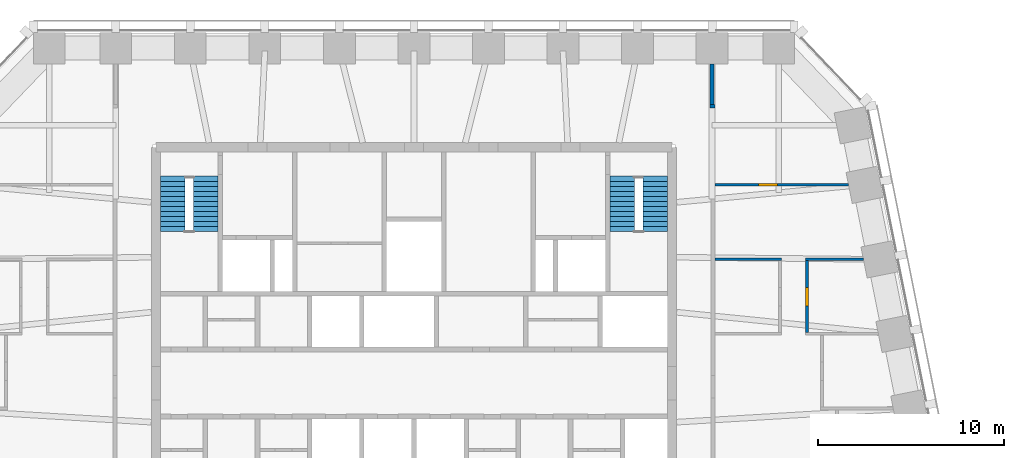
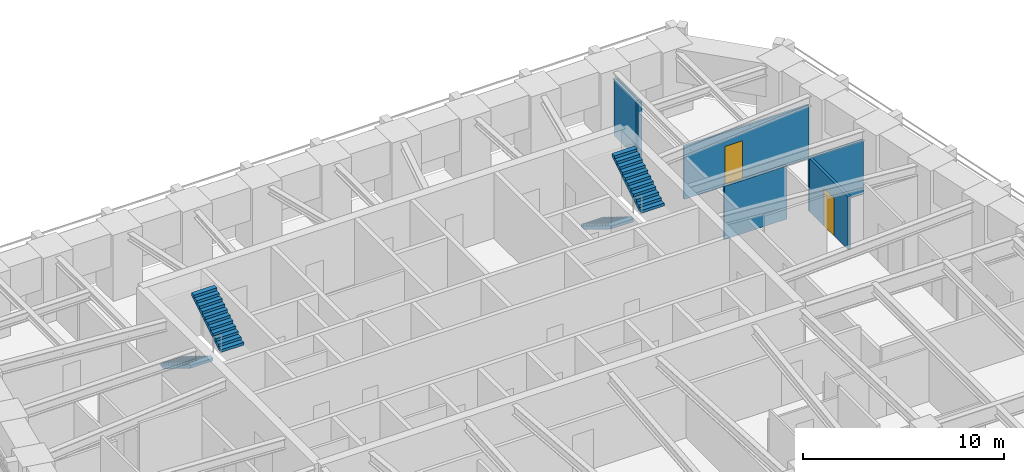
# One storey, part 9 of 11: 6 walls, 4 stair flights, 2 doors, 2 openings, 2 elements without a shape of their own.
"""IFC4 building model written with IfcOpenShell, lengths in metres."""

from ifc_helpers import new_model, si_unit, direction, frame, frame_2d, origin, place, context, subcontext, project, spatial, polyline, rectangle, outline, extrude, material, layer, layer_set, type_object, element, fill, aggregate, save


model = new_model("IFC4")

# Units and contexts
model_context = context("Model", 3, precision=1e-05, world=origin(), true_north=direction((0.0, 1.0)))
body_context = subcontext(model_context, "Body", "Model", "MODEL_VIEW")
ifc_project = project(units=[si_unit("LENGTHUNIT", "METRE"), si_unit("AREAUNIT", "SQUARE_METRE"), si_unit("VOLUMEUNIT", "CUBIC_METRE"), si_unit("PLANEANGLEUNIT", "RADIAN"), si_unit("MASSUNIT", "GRAM", prefix="KILO")], contexts=[model_context])

# Site, building, storey
site_placement = place(None, origin())
site = spatial("IfcSite", under=ifc_project, at=site_placement, CompositionType="ELEMENT")
building_placement = place(site_placement, origin())
building = spatial("IfcBuilding", under=site, at=building_placement, Name="Isbrekke Arena Tower", CompositionType="ELEMENT")
storey_placement = place(building_placement, frame((0.0, 0.0, 248.0)))
storey = spatial("IfcBuildingStorey", under=building, at=storey_placement, Name="L57", CompositionType="ELEMENT", Elevation=248.0)

# Walls
ifc_material_1 = material(Name="Gypsum board partition on steel studs", Category="steel")
ifc_layer_1 = layer(ifc_material_1, 0.14990234375)
ifc_layer_set_1 = layer_set([ifc_layer_1], Name="IW1 PARTITION 150")
wall_type_1 = type_object("IfcWallType", Name="IW1 PARTITION 150", PredefinedType="PARTITIONING", material=ifc_layer_set_1)
wall_1_placement = place(storey_placement, frame((16.14990234375, 17.840087890625, 0.0), z_axis=(0.0, 0.0, 1.0), x_axis=(1.0, 0.0, 0.0)))
element("IfcWall", 1, at=wall_1_placement, inside=storey, type_object=wall_type_1, Name="IW1 partition 150 L57", PredefinedType="PARTITIONING", context=body_context, shape_type="SweptSolid", body=[
    extrude(rectangle(XDim=3.5751953125, YDim=0.14990234375, at=frame_2d((1.78759765625, 0.0))), origin(), (0.0, 0.0, 1.0), 3.22998046875),
])
wall_2_placement = place(storey_placement, frame((21.02490234375, 17.840087890625, 0.0), z_axis=(0.0, 0.0, 1.0), x_axis=(1.0, 0.0, 0.0)))
element("IfcWall", 2, at=wall_2_placement, inside=storey, type_object=wall_type_1, Name="IW1 partition 150 L57", PredefinedType="PARTITIONING", context=body_context, shape_type="SweptSolid", body=[
    extrude(rectangle(XDim=3.098876953125, YDim=0.14990234375, at=frame_2d((1.54931640625, 0.0))), origin(), (0.0, 0.0, 1.0), 3.22998046875),
])

# Wall, opening, door
wall_3_placement = place(storey_placement, frame((21.10009765625, 13.9150390625, 0.0), z_axis=(0.0, 0.0, 1.0), x_axis=(0.0, 1.0, 0.0)))
wall_3 = element("IfcWall", 3, at=wall_3_placement, inside=storey, type_object=wall_type_1, Name="IW1 partition 150 L57", PredefinedType="PARTITIONING", context=body_context, shape_type="SweptSolid", body=[
    extrude(rectangle(XDim=3.849853515625, YDim=0.14990234375, at=frame_2d((1.9248046875, 0.0))), origin(), (0.0, 0.0, 1.0), 3.22998046875),
])
opening_1_placement = place(wall_3_placement, frame((1.425048828125, 0.0, 0.0)))
opening_1 = element("IfcOpeningElement", 4, at=opening_1_placement, cuts=wall_3, Name="Opening D10", PredefinedType="OPENING", context=body_context, shape_type="SweptSolid", body=[
    extrude(rectangle(XDim=1.0, YDim=2.300048828125, at=frame_2d((0.5, 1.14990234375))), frame((0.0, 0.08984375, 0.0), z_axis=(0.0, -1.0, 0.0), x_axis=(1.0, 0.0, 0.0)), (0.0, 0.0, 1.0), 0.1796875),
])
ifc_material_2 = material(Name="Timber door", Category="wood")
door_type_1 = type_object("IfcDoorType", Name="D10 OFFICE DOOR 1000 x 2300", OperationType="SINGLE_SWING_LEFT", PredefinedType="DOOR", material=ifc_material_2)
door_1_placement = place(opening_1_placement, origin())
door_1 = element("IfcDoor", 5, at=door_1_placement, inside=storey, type_object=door_type_1, Name="D10 office door L57", OperationType="SINGLE_SWING_LEFT", OverallHeight=2.300048828125, OverallWidth=1.0, PredefinedType="DOOR", context=body_context, shape_type="SweptSolid", body=[
    extrude(rectangle(XDim=1.0, YDim=2.300048828125, at=frame_2d((0.5, 1.14990234375))), frame((0.0, 0.07470703125, 0.0), z_axis=(0.0, -1.0, 0.0), x_axis=(1.0, 0.0, 0.0)), (0.0, 0.0, 1.0), 0.1494140625),
])
fill(opening_1, door_1)

ifc_material_3 = material(Name="Frameless glazed partition, laminated acoustic glass", Category="glass")
ifc_layer_2 = layer(ifc_material_3, 0.1201171875)
ifc_layer_set_2 = layer_set([ifc_layer_2], Name="IW2 GLAZED PARTITION 120")
wall_type_2 = type_object("IfcWallType", Name="IW2 GLAZED PARTITION 120", PredefinedType="PARTITIONING", material=ifc_layer_set_2)
wall_4_placement = place(storey_placement, frame((16.14990234375, 21.840087890625, 0.0), z_axis=(0.0, 0.0, 1.0), x_axis=(1.0, 0.0, 0.0)))
wall_4 = element("IfcWall", 6, at=wall_4_placement, inside=storey, type_object=wall_type_2, Name="IW2 glazed partition 120 L57", PredefinedType="PARTITIONING", context=body_context, shape_type="SweptSolid", body=[
    extrude(rectangle(XDim=7.173828125, YDim=0.1201171875, at=frame_2d((3.5869140625, 0.0))), origin(), (0.0, 0.0, 1.0), 3.22998046875),
])
opening_2_placement = place(wall_4_placement, frame((2.35009765625, 0.0, 0.0)))
opening_2 = element("IfcOpeningElement", 7, at=opening_2_placement, cuts=wall_4, Name="Opening D11", PredefinedType="OPENING", context=body_context, shape_type="SweptSolid", body=[
    extrude(rectangle(XDim=1.0, YDim=2.39990234375, at=frame_2d((0.5, 1.199951171875))), frame((0.0, 0.074951171875, 0.0), z_axis=(0.0, -1.0, 0.0), x_axis=(1.0, 0.0, 0.0)), (0.0, 0.0, 1.0), 0.14990234375),
])
ifc_material_4 = material(Name="Frameless glazed door", Category="glass")
door_type_2 = type_object("IfcDoorType", Name="D11 GLAZED MEETING ROOM DOOR 1000 x 2400", OperationType="SINGLE_SWING_RIGHT", PredefinedType="DOOR", material=ifc_material_4)
door_2_placement = place(opening_2_placement, origin())
door_2 = element("IfcDoor", 8, at=door_2_placement, inside=storey, type_object=door_type_2, Name="D11 meeting room door L57", OperationType="SINGLE_SWING_RIGHT", OverallHeight=2.39990234375, OverallWidth=1.0, PredefinedType="DOOR", context=body_context, shape_type="SweptSolid", body=[
    extrude(rectangle(XDim=1.0, YDim=2.39990234375, at=frame_2d((0.5, 1.199951171875))), frame((0.0, 0.059814453125, 0.0), z_axis=(0.0, -1.0, 0.0), x_axis=(1.0, 0.0, 0.0)), (0.0, 0.0, 1.0), 0.11962890625),
])
fill(opening_2, door_2)

# Walls
ifc_material_5 = material(Name="Gypsum board fire-cell wall on steel studs, two layers each side", Category="steel")
ifc_layer_3 = layer(ifc_material_5, 0.199951171875)
ifc_layer_set_3 = layer_set([ifc_layer_3], Name="IW3 FIRE-CELL WALL 200")
wall_type_3 = type_object("IfcWallType", Name="IW3 FIRE-CELL WALL 200", PredefinedType="PARTITIONING", material=ifc_layer_set_3)
wall_5_placement = place(storey_placement, frame((15.89990234375, 26.050048828125, 0.0), z_axis=(0.0, 0.0, 1.0), x_axis=(1.0, 0.0, 0.0)))
element("IfcWall", 9, at=wall_5_placement, inside=storey, type_object=wall_type_3, Name="IW3 fire-cell wall 200 L57", PredefinedType="PARTITIONING", context=body_context, shape_type="SweptSolid", body=[
    extrude(rectangle(XDim=0.25, YDim=0.199951171875, at=frame_2d((0.125, 0.0))), origin(), (0.0, 0.0, 1.0), 3.41796875),
])
wall_6_placement = place(storey_placement, frame((16.0, 26.14990234375, 0.0), z_axis=(0.0, 0.0, 1.0), x_axis=(0.0, 1.0, 0.0)))
element("IfcWall", 10, at=wall_6_placement, inside=storey, type_object=wall_type_3, Name="IW3 fire-cell wall 200 L57", PredefinedType="PARTITIONING", context=body_context, shape_type="SweptSolid", body=[
    extrude(rectangle(XDim=2.175048828125, YDim=0.199951171875, at=frame_2d((1.08740234375, 0.0))), origin(), (0.0, 0.0, 1.0), 3.41796875),
])

# Stair, stair flights
ifc_material_6 = material(Name="Concrete B45 (C45/55) precast", Category="concrete")
stair_type = type_object("IfcStairType", Name="ST40 STAIR 1300 WIDE, 24 RISERS 167", PredefinedType="HALF_TURN_STAIR", material=ifc_material_6)
stair_1_placement = place(storey_placement, origin())
stair_1 = element("IfcStair", 11, at=stair_1_placement, inside=storey, type_object=stair_type, Name="ST1 stair L57", PredefinedType="HALF_TURN_STAIR")
ifc_material_7 = material(Name="Concrete B45 (C45/55) precast", Category="concrete")
stair_flight_type = type_object("IfcStairFlightType", Name="SF 1300 FLIGHT", PredefinedType="STRAIGHT", material=ifc_material_7)
stair_flight_1_placement = place(storey_placement, frame((-12.949951171875, 22.300048828125, 0.0), z_axis=(0.0, 0.0, 1.0), x_axis=(0.0, -1.0, 0.0)))
stair_flight_1 = element("IfcStairFlight", 12, at=stair_flight_1_placement, type_object=stair_flight_type, Name="ST1 flight 1", NumberOfRisers=12, NumberOfTreads=11, PredefinedType="STRAIGHT", RiserHeight=0.166666667, TreadLength=0.27, context=body_context, shape_type="SweptSolid", body=[
    extrude(outline(polyline([(0.0, 0.0), (0.0, 0.166748046875), (0.27001953125, 0.166748046875), (0.27001953125, 0.333251953125), (0.5400390625, 0.333251953125), (0.5400390625, 0.5), (0.81005859375, 0.5), (0.81005859375, 0.666748046875), (1.080078125, 0.666748046875), (1.080078125, 0.833251953125), (1.35009765625, 0.833251953125), (1.35009765625, 1.0), (1.6201171875, 1.0), (1.6201171875, 1.166748046875), (1.889892578125, 1.166748046875), (1.889892578125, 1.333251953125), (2.159912109375, 1.333251953125), (2.159912109375, 1.5), (2.429931640625, 1.5), (2.429931640625, 1.666748046875), (2.699951171875, 1.666748046875), (2.699951171875, 1.833251953125), (2.969970703125, 1.833251953125), (2.969970703125, 2.0), (2.969970703125, 1.6572265625), (0.285400390625, 0.0), (0.0, 0.0)])), frame((0.0, 0.64990234375, 0.0), z_axis=(0.0, -1.0, 0.0), x_axis=(1.0, 0.0, 0.0)), (0.0, 0.0, 1.0), 1.300048828125),
])
stair_flight_2_placement = place(storey_placement, frame((-11.175048828125, 19.330078125, 2.0), z_axis=(0.0, 0.0, 1.0), x_axis=(0.0, 1.0, 0.0)))
stair_flight_2 = element("IfcStairFlight", 13, at=stair_flight_2_placement, type_object=stair_flight_type, Name="ST1 flight 2", NumberOfRisers=12, NumberOfTreads=11, PredefinedType="STRAIGHT", RiserHeight=0.166666667, TreadLength=0.27, context=body_context, shape_type="SweptSolid", body=[
    extrude(outline(polyline([(0.0, 0.0), (0.0, 0.166748046875), (0.27001953125, 0.166748046875), (0.27001953125, 0.333251953125), (0.5400390625, 0.333251953125), (0.5400390625, 0.5), (0.81005859375, 0.5), (0.81005859375, 0.666748046875), (1.080078125, 0.666748046875), (1.080078125, 0.833251953125), (1.35009765625, 0.833251953125), (1.35009765625, 1.0), (1.6201171875, 1.0), (1.6201171875, 1.166748046875), (1.889892578125, 1.166748046875), (1.889892578125, 1.333251953125), (2.159912109375, 1.333251953125), (2.159912109375, 1.5), (2.429931640625, 1.5), (2.429931640625, 1.666748046875), (2.699951171875, 1.666748046875), (2.699951171875, 1.833251953125), (2.969970703125, 1.833251953125), (2.969970703125, 2.0), (2.969970703125, 1.6572265625), (0.285400390625, 0.0), (0.0, 0.0)])), frame((0.0, 0.64990234375, 0.0), z_axis=(0.0, -1.0, 0.0), x_axis=(1.0, 0.0, 0.0)), (0.0, 0.0, 1.0), 1.300048828125),
])
aggregate(stair_1, [stair_flight_1, stair_flight_2])

stair_2_placement = place(storey_placement, origin())
stair_2 = element("IfcStair", 14, at=stair_2_placement, inside=storey, type_object=stair_type, Name="ST2 stair L57", PredefinedType="HALF_TURN_STAIR")
stair_flight_3_placement = place(storey_placement, frame((11.175048828125, 22.300048828125, 0.0), z_axis=(0.0, 0.0, 1.0), x_axis=(0.0, -1.0, 0.0)))
stair_flight_3 = element("IfcStairFlight", 15, at=stair_flight_3_placement, type_object=stair_flight_type, Name="ST2 flight 1", NumberOfRisers=12, NumberOfTreads=11, PredefinedType="STRAIGHT", RiserHeight=0.166666667, TreadLength=0.27, context=body_context, shape_type="SweptSolid", body=[
    extrude(outline(polyline([(0.0, 0.0), (0.0, 0.166748046875), (0.27001953125, 0.166748046875), (0.27001953125, 0.333251953125), (0.5400390625, 0.333251953125), (0.5400390625, 0.5), (0.81005859375, 0.5), (0.81005859375, 0.666748046875), (1.080078125, 0.666748046875), (1.080078125, 0.833251953125), (1.35009765625, 0.833251953125), (1.35009765625, 1.0), (1.6201171875, 1.0), (1.6201171875, 1.166748046875), (1.889892578125, 1.166748046875), (1.889892578125, 1.333251953125), (2.159912109375, 1.333251953125), (2.159912109375, 1.5), (2.429931640625, 1.5), (2.429931640625, 1.666748046875), (2.699951171875, 1.666748046875), (2.699951171875, 1.833251953125), (2.969970703125, 1.833251953125), (2.969970703125, 2.0), (2.969970703125, 1.6572265625), (0.285400390625, 0.0), (0.0, 0.0)])), frame((0.0, 0.64990234375, 0.0), z_axis=(0.0, -1.0, 0.0), x_axis=(1.0, 0.0, 0.0)), (0.0, 0.0, 1.0), 1.300048828125),
])
stair_flight_4_placement = place(storey_placement, frame((12.949951171875, 19.330078125, 2.0), z_axis=(0.0, 0.0, 1.0), x_axis=(0.0, 1.0, 0.0)))
stair_flight_4 = element("IfcStairFlight", 16, at=stair_flight_4_placement, type_object=stair_flight_type, Name="ST2 flight 2", NumberOfRisers=12, NumberOfTreads=11, PredefinedType="STRAIGHT", RiserHeight=0.166666667, TreadLength=0.27, context=body_context, shape_type="SweptSolid", body=[
    extrude(outline(polyline([(0.0, 0.0), (0.0, 0.166748046875), (0.27001953125, 0.166748046875), (0.27001953125, 0.333251953125), (0.5400390625, 0.333251953125), (0.5400390625, 0.5), (0.81005859375, 0.5), (0.81005859375, 0.666748046875), (1.080078125, 0.666748046875), (1.080078125, 0.833251953125), (1.35009765625, 0.833251953125), (1.35009765625, 1.0), (1.6201171875, 1.0), (1.6201171875, 1.166748046875), (1.889892578125, 1.166748046875), (1.889892578125, 1.333251953125), (2.159912109375, 1.333251953125), (2.159912109375, 1.5), (2.429931640625, 1.5), (2.429931640625, 1.666748046875), (2.699951171875, 1.666748046875), (2.699951171875, 1.833251953125), (2.969970703125, 1.833251953125), (2.969970703125, 2.0), (2.969970703125, 1.6572265625), (0.285400390625, 0.0), (0.0, 0.0)])), frame((0.0, 0.64990234375, 0.0), z_axis=(0.0, -1.0, 0.0), x_axis=(1.0, 0.0, 0.0)), (0.0, 0.0, 1.0), 1.300048828125),
])
aggregate(stair_2, [stair_flight_3, stair_flight_4])

save(model, "model.ifc")
